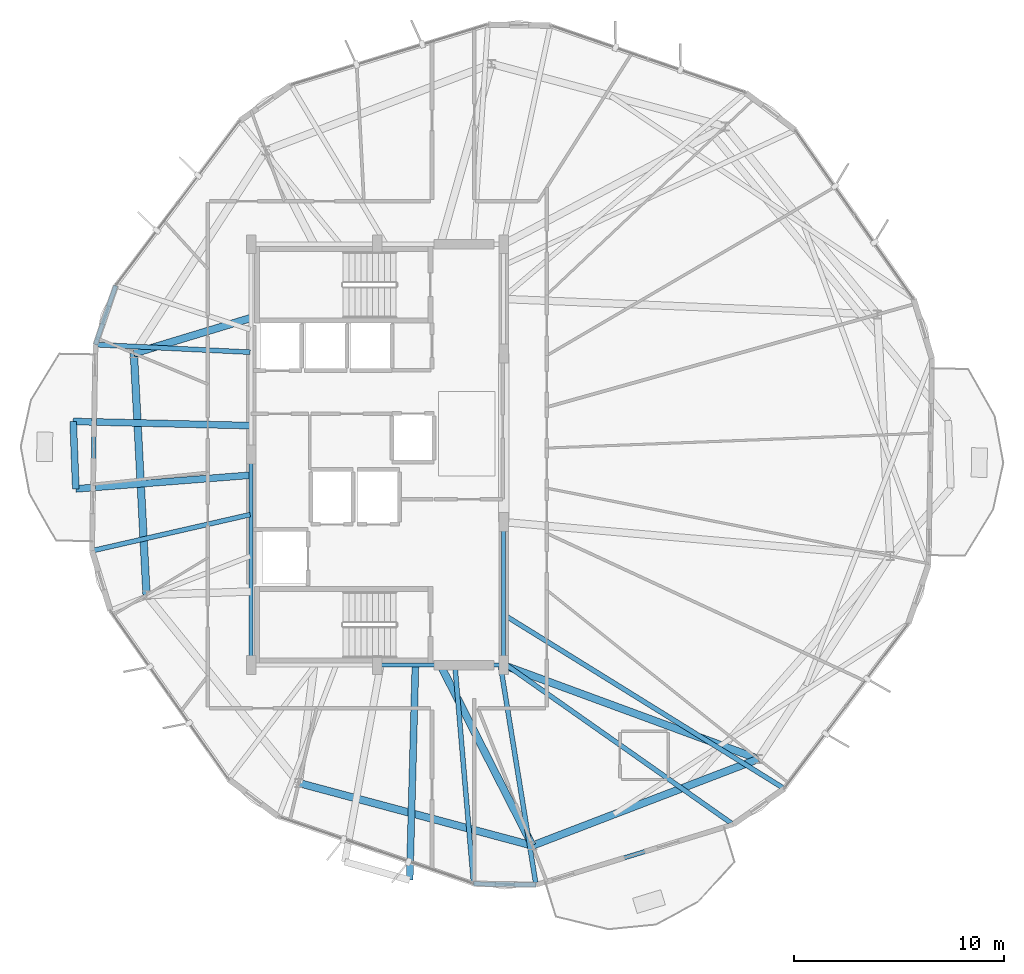
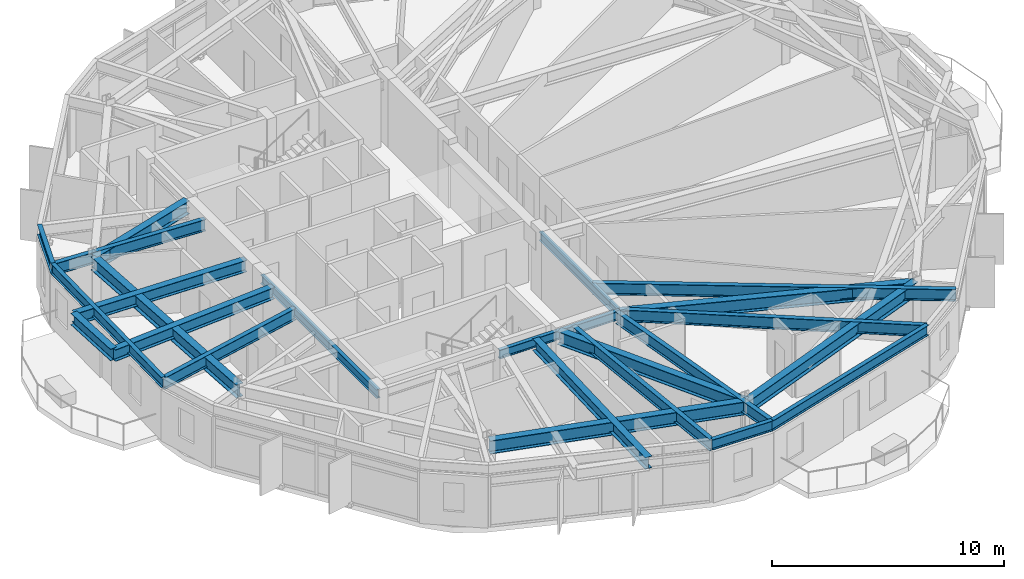
# One storey, part 5 of 29: 23 beams.
"""IFC4 building model written with IfcOpenShell, lengths in metres."""

import ifcopenshell
import ifcopenshell.guid

model = None  # the IFC model being written
_history = None  # IfcOwnerHistory: only IFC2X3 demands one
_inside = {}  # id of a spatial element -> (the spatial element, [elements in it])
_under = {}  # id of a project, library or spatial element -> (it, [spatial elements below it])
_declared = {}  # id of a project -> (the project, [libraries it declares])
_typed = {}  # id of a type object -> (the type object, [elements of that type])
_made_of = {}  # id of a material, layer set ... -> (it, [elements and type objects made of it])


def new_model(schema):
    """Start an empty IFC model of exactly this schema.

    Asked for "IFC4X3", IfcOpenShell would pick the latest addendum, in which some entities
    have other attributes; the version numbers below select the first issue.
    IFC2X3 requires an IfcOwnerHistory on every rooted entity: one is made here for all.
    """
    global model, _history
    if schema == "IFC4X3":
        model = ifcopenshell.file(schema_version=(4, 3, 0, 0))
    else:
        model = ifcopenshell.file(schema=schema)
    _inside.clear()
    _under.clear()
    _declared.clear()
    _typed.clear()
    _made_of.clear()
    _history = None
    if model.schema == "IFC2X3":
        org = make("IfcOrganization", Name="unknown")
        user = make(
            "IfcPersonAndOrganization",
            ThePerson=make("IfcPerson", FamilyName="unknown"),
            TheOrganization=org,
        )
        app = make(
            "IfcApplication",
            ApplicationDeveloper=org,
            Version="unknown",
            ApplicationFullName="unknown",
            ApplicationIdentifier="unknown",
        )
        _history = make(
            "IfcOwnerHistory",
            OwningUser=user,
            OwningApplication=app,
            ChangeAction="ADDED",
            CreationDate=0,
        )
    return model


def make(cls, **values):
    """One entity of the class cls with the attributes given. An attribute that is None is left unset."""
    return model.create_entity(
        cls, **{name: value for name, value in values.items() if value is not None}
    )


def rooted(cls, **values):
    """An entity with a GlobalId (a new one), such as an element, a storey or a relation."""
    return make(cls, GlobalId=ifcopenshell.guid.new(), OwnerHistory=_history, **values)


def si_unit(unit_type, name, prefix=None):
    """IfcSIUnit, for example si_unit("LENGTHUNIT", "METRE", prefix="MILLI")."""
    return make("IfcSIUnit", UnitType=unit_type, Prefix=prefix, Name=name)


def assignment(units):
    """IfcUnitAssignment: the units of a project."""
    return None if units is None else make("IfcUnitAssignment", Units=units)


def point(xyz):
    """IfcCartesianPoint."""
    return None if xyz is None else make("IfcCartesianPoint", Coordinates=xyz)


def direction(xyz):
    """IfcDirection."""
    return None if xyz is None else make("IfcDirection", DirectionRatios=xyz)


def frame(location, z_axis=None, x_axis=None):
    """IfcAxis2Placement3D, a coordinate frame: its origin and axes. An axis left out is left unset."""
    return make(
        "IfcAxis2Placement3D",
        Location=point(location),
        Axis=direction(z_axis),
        RefDirection=direction(x_axis),
    )


def frame_2d(location, x_axis=None):
    """IfcAxis2Placement2D, a coordinate frame in the plane: its origin and x axis."""
    return make(
        "IfcAxis2Placement2D", Location=point(location), RefDirection=direction(x_axis)
    )


def origin():
    """The frame at (0, 0, 0) with its axes left unset."""
    return frame((0.0, 0.0, 0.0))


def origin_2d():
    """The frame at (0, 0) in the plane with its x axis left unset."""
    return frame_2d((0.0, 0.0))


def place(relative_to, where):
    """IfcLocalPlacement: puts the frame where relative to a parent placement (None: the world)."""
    return make(
        "IfcLocalPlacement", PlacementRelTo=relative_to, RelativePlacement=where
    )


def context(
    kind, dimensions, precision=None, world=None, true_north=None, identifier=None
):
    """IfcGeometricRepresentationContext, for example the 3D "Model" context."""
    return make(
        "IfcGeometricRepresentationContext",
        ContextIdentifier=identifier,
        ContextType=kind,
        CoordinateSpaceDimension=dimensions,
        Precision=precision,
        WorldCoordinateSystem=world,
        TrueNorth=true_north,
    )


def subcontext(parent, identifier, kind, view, scale=None):
    """IfcGeometricRepresentationSubContext, for example "Body" below "Model"."""
    return make(
        "IfcGeometricRepresentationSubContext",
        ContextIdentifier=identifier,
        ContextType=kind,
        ParentContext=parent,
        TargetScale=scale,
        TargetView=view,
    )


def project(units=None, contexts=None):
    """IfcProject with its units and contexts."""
    return rooted(
        "IfcProject",
        Name="project",
        RepresentationContexts=contexts,
        UnitsInContext=assignment(units),
    )


def spatial(cls, under=None, at=None, **own):
    """A site, building, storey or space (cls), placed at a placement, below another one or the project."""
    s = rooted(cls, ObjectPlacement=at, **own)
    if under is not None:
        _under.setdefault(under.id(), (under, []))[1].append(s)
    return s


def profile(cls, at=None, kind="AREA", **sizes):
    """A parametric profile (cls). Its sizes go by their IFC names, for example OverallWidth=200.0."""
    return make(cls, ProfileType=kind, Position=at, **sizes)


def i_section(**sizes):
    """IfcIShapeProfileDef."""
    return profile("IfcIShapeProfileDef", **sizes)


def extrude(swept, where, along, depth):
    """IfcExtrudedAreaSolid: the profile swept, set in the frame where, extruded along a direction by depth."""
    return make(
        "IfcExtrudedAreaSolid",
        SweptArea=swept,
        Position=where,
        ExtrudedDirection=direction(along),
        Depth=depth,
    )


def shape(context_of_items, identifier, shape_type, items):
    """IfcShapeRepresentation: the items that make up one representation, for example the "Body"."""
    return make(
        "IfcShapeRepresentation",
        ContextOfItems=context_of_items,
        RepresentationIdentifier=identifier,
        RepresentationType=shape_type,
        Items=items,
    )


def material(Name=None, Category=None):
    """IfcMaterial."""
    return make("IfcMaterial", Name=Name, Category=Category)


def material_profile(
    of_material, cross_section, Name=None, Category=None, Priority=None
):
    """IfcMaterialProfile: a cross section and its material."""
    return make(
        "IfcMaterialProfile",
        Name=Name,
        Material=of_material,
        Profile=cross_section,
        Priority=Priority,
        Category=Category,
    )


def profile_set(profiles, Name=None, composite=None):
    """IfcMaterialProfileSet."""
    return make(
        "IfcMaterialProfileSet",
        Name=Name,
        MaterialProfiles=profiles,
        CompositeProfile=composite,
    )


def made_of(thing, what):
    """Note that an element or type object is made of a material, layer set ...; save() writes the relation."""
    if what is not None:
        _made_of.setdefault(what.id(), (what, []))[1].append(thing)
    return thing


def type_object(cls, material=None, **own):
    """A type object (cls), such as IfcWallType, which elements share."""
    return made_of(rooted(cls, **own), material)


def element(
    cls,
    number,
    at=None,
    inside=None,
    cuts=None,
    type_object=None,
    material=None,
    context=None,
    identifier="Body",
    shape_type=None,
    held_by="IfcProductDefinitionShape",
    body=None,
    shapes=None,
    **own,
):
    """One element of the class cls, such as IfcWall. Its Tag is "e" and its number.

    at: its placement. inside: the storey or other place that contains it. cuts: it is an
    opening in that element (IfcRelVoidsElement). A single representation is given by context,
    identifier, shape_type and body (its items); several are given by shapes. held_by: the class
    of the entity that holds the representations. save() writes the other relations.
    """
    e = rooted(cls, Tag="e%d" % number, ObjectPlacement=at, **own)
    if body is not None:
        shapes = [shape(context, identifier, shape_type, body)]
    if shapes is not None:
        e.Representation = make(held_by, Representations=shapes)
    if inside is not None:
        _inside.setdefault(inside.id(), (inside, []))[1].append(e)
    if cuts is not None:
        rooted(
            "IfcRelVoidsElement", RelatingBuildingElement=cuts, RelatedOpeningElement=e
        )
    if type_object is not None:
        _typed.setdefault(type_object.id(), (type_object, []))[1].append(e)
    return made_of(e, material)


def aggregate(whole, parts):
    """IfcRelAggregates: a whole, such as a stair, and the parts it consists of."""
    return rooted("IfcRelAggregates", RelatingObject=whole, RelatedObjects=parts)


def save(model, path):
    """Write the relations noted so far, then the file.

    IfcRelAggregates (storeys below a building ...), IfcRelContainedInSpatialStructure (elements
    in a storey), IfcRelDefinesByType, IfcRelAssociatesMaterial and IfcRelDeclares: one each for
    every whole, place, type object, material and project.
    """
    for whole, parts in _under.values():
        aggregate(whole, parts)
    for where, things in _inside.values():
        rooted(
            "IfcRelContainedInSpatialStructure",
            RelatedElements=things,
            RelatingStructure=where,
        )
    for kind, things in _typed.values():
        rooted("IfcRelDefinesByType", RelatedObjects=things, RelatingType=kind)
    for what, things in _made_of.values():
        rooted("IfcRelAssociatesMaterial", RelatedObjects=things, RelatingMaterial=what)
    for by, libraries in _declared.values():
        rooted("IfcRelDeclares", RelatingContext=by, RelatedDefinitions=libraries)
    model.write(path)


model = new_model("IFC4")

# Units and contexts
model_context = context("Model", 3, precision=1e-05, world=origin(), true_north=direction((0.0, 1.0)))
body_context = subcontext(model_context, "Body", "Model", "MODEL_VIEW")
ifc_project = project(units=[si_unit("LENGTHUNIT", "METRE"), si_unit("AREAUNIT", "SQUARE_METRE"), si_unit("VOLUMEUNIT", "CUBIC_METRE"), si_unit("PLANEANGLEUNIT", "RADIAN"), si_unit("MASSUNIT", "GRAM", prefix="KILO")], contexts=[model_context])

# Site, building, storey
site_placement = place(None, origin())
site = spatial("IfcSite", under=ifc_project, at=site_placement, CompositionType="ELEMENT")
building_placement = place(site_placement, origin())
building = spatial("IfcBuilding", under=site, at=building_placement, Name="Soratama Intermodal Tower", CompositionType="ELEMENT")
storey_placement = place(building_placement, frame((0.0, 0.0, 226.60009765625)))
storey = spatial("IfcBuildingStorey", under=building, at=storey_placement, Name="L57", CompositionType="ELEMENT", Elevation=226.60009765625)

# Beams
ifc_material_1 = material(Name="Structural steel ASTM A992 Grade 50", Category="steel")
ifc_material_profile_1 = material_profile(ifc_material_1, i_section(OverallWidth=0.324951171875, OverallDepth=0.615966796875, WebThickness=0.013916015625, FlangeThickness=0.021484375, FilletRadius=0.013916015625, at=origin_2d()), Name="W24X117")
ifc_profile_set_1 = profile_set([ifc_material_profile_1], Name="Structural steel ASTM A992 Grade 50")
beam_type_1 = type_object("IfcBeamType", Name="BM-CANT-W24X117", PredefinedType="BEAM", material=ifc_profile_set_1)
beam_1_placement = place(storey_placement, frame((24.14990234375, 26.580078125, 2.991943359375), z_axis=(0.03899470896, -0.999239417093, 0.0), x_axis=(0.999239417093, 0.03899470896, 0.0)))
element("IfcBeam", 1, at=beam_1_placement, inside=storey, type_object=beam_type_1, Name="BM-L57-CBHDR-2", PredefinedType="BEAM", context=body_context, shape_type="SweptSolid", body=[
    extrude(i_section(OverallWidth=0.324951171875, OverallDepth=0.615966796875, WebThickness=0.013916015625, FlangeThickness=0.021484375, FilletRadius=0.013916015625, at=origin_2d()), origin(), (0.0, 0.0, 1.0), 3.20556640625),
])
beam_2_placement = place(storey_placement, frame((32.56005859375, 26.384033203125, 2.991943359375), z_axis=(-0.999728421038, 0.02330416634, 0.0), x_axis=(-0.02330416634, -0.999728421038, 0.0)))
element("IfcBeam", 2, at=beam_2_placement, inside=storey, type_object=beam_type_1, Name="BM-L57-CANT-2-1", PredefinedType="BEAM", context=body_context, shape_type="SweptSolid", body=[
    extrude(i_section(OverallWidth=0.324951171875, OverallDepth=0.615966796875, WebThickness=0.013916015625, FlangeThickness=0.021484375, FilletRadius=0.013916015625, at=origin_2d()), origin(), (0.0, 0.0, 1.0), 8.412353515625),
])
beam_3_placement = place(storey_placement, frame((32.56005859375, 24.02587890625, 2.991943359375), z_axis=(-0.996946723934, -0.078084759318, 0.0), x_axis=(0.078084759318, -0.996946723934, 0.0)))
element("IfcBeam", 3, at=beam_3_placement, inside=storey, type_object=beam_type_1, Name="BM-L57-CANT-2-2", PredefinedType="BEAM", context=body_context, shape_type="SweptSolid", body=[
    extrude(i_section(OverallWidth=0.324951171875, OverallDepth=0.615966796875, WebThickness=0.013916015625, FlangeThickness=0.021484375, FilletRadius=0.013916015625, at=origin_2d()), origin(), (0.0, 0.0, 1.0), 8.310546875),
])
beam_4_placement = place(storey_placement, frame((40.409912109375, 14.9599609375, 2.991943359375), z_axis=(-0.026629700417, -0.999645366645, 0.0), x_axis=(0.999645366645, -0.026629700417, 0.0)))
element("IfcBeam", 4, at=beam_4_placement, inside=storey, type_object=beam_type_1, Name="BM-L57-CANT-3-2", PredefinedType="BEAM", context=body_context, shape_type="SweptSolid", body=[
    extrude(i_section(OverallWidth=0.324951171875, OverallDepth=0.615966796875, WebThickness=0.013916015625, FlangeThickness=0.021484375, FilletRadius=0.013916015625, at=origin_2d()), origin(), (0.0, 0.0, 1.0), 10.176513671875),
])
ifc_material_2 = material(Name="Structural steel ASTM A992 Grade 50", Category="steel")
ifc_material_profile_2 = material_profile(ifc_material_2, i_section(OverallWidth=0.19091796875, OverallDepth=0.4599609375, WebThickness=0.010009765625, FlangeThickness=0.01611328125, FilletRadius=0.010986328125, at=origin_2d()), Name="W18X55")
ifc_profile_set_2 = profile_set([ifc_material_profile_2], Name="Structural steel ASTM A992 Grade 50")
beam_type_2 = type_object("IfcBeamType", Name="BM-FLR-W18X55", PredefinedType="BEAM", material=ifc_profile_set_2)
beam_5_placement = place(storey_placement, frame((38.60009765625, 15.0, 3.06982421875), z_axis=(1.0, 0.0, 0.0), x_axis=(0.0, 1.0, 0.0)))
element("IfcBeam", 5, at=beam_5_placement, inside=storey, type_object=beam_type_2, Name="BM-L57-CRING-02", PredefinedType="BEAM", context=body_context, shape_type="SweptSolid", body=[
    extrude(i_section(OverallWidth=0.19091796875, OverallDepth=0.4599609375, WebThickness=0.010009765625, FlangeThickness=0.01611328125, FilletRadius=0.010986328125, at=origin_2d()), origin(), (0.0, 0.0, 1.0), 6.0),
])
beam_6_placement = place(storey_placement, frame((44.60009765625, 15.0, 3.06982421875), z_axis=(0.0, 1.0, 0.0), x_axis=(-1.0, 0.0, 0.0)))
element("IfcBeam", 6, at=beam_6_placement, inside=storey, type_object=beam_type_2, Name="BM-L57-CRING-03", PredefinedType="BEAM", context=body_context, shape_type="SweptSolid", body=[
    extrude(i_section(OverallWidth=0.19091796875, OverallDepth=0.4599609375, WebThickness=0.010009765625, FlangeThickness=0.01611328125, FilletRadius=0.010986328125, at=origin_2d()), origin(), (0.0, 0.0, 1.0), 6.800048828125),
])
beam_7_placement = place(storey_placement, frame((32.60009765625, 25.0, 3.06982421875), z_axis=(0.0, -1.0, 0.0), x_axis=(1.0, 0.0, 0.0)))
element("IfcBeam", 7, at=beam_7_placement, inside=storey, type_object=beam_type_2, Name="BM-L57-CRING-09", PredefinedType="BEAM", context=body_context, shape_type="SweptSolid", body=[
    extrude(i_section(OverallWidth=0.19091796875, OverallDepth=0.4599609375, WebThickness=0.010009765625, FlangeThickness=0.01611328125, FilletRadius=0.010986328125, at=origin_2d()), origin(), (0.0, 0.0, 1.0), 10.0),
])
ifc_material_3 = material(Name="Structural steel ASTM A992 Grade 50", Category="steel")
ifc_material_profile_3 = material_profile(ifc_material_3, i_section(OverallWidth=0.35498046875, OverallDepth=0.695068359375, WebThickness=0.015380859375, FlangeThickness=0.02490234375, FilletRadius=0.01611328125, at=origin_2d()), Name="W27X146")
ifc_profile_set_3 = profile_set([ifc_material_profile_3], Name="Structural steel ASTM A992 Grade 50")
beam_type_3 = type_object("IfcBeamType", Name="BM-RING-W27X146", PredefinedType="BEAM", material=ifc_profile_set_3)
beam_8_placement = place(storey_placement, frame((27.033935546875, 29.81396484375, 2.952392578125), z_axis=(0.052286849724, -0.998632107108, 0.0), x_axis=(0.998632107108, 0.052286849724, 0.0)))
element("IfcBeam", 8, at=beam_8_placement, inside=storey, type_object=beam_type_3, Name="BM-L57-RING-05", PredefinedType="BEAM", context=body_context, shape_type="SweptSolid", body=[
    extrude(i_section(OverallWidth=0.35498046875, OverallDepth=0.695068359375, WebThickness=0.015380859375, FlangeThickness=0.02490234375, FilletRadius=0.01611328125, at=origin_2d()), origin(), (0.0, 0.0, 1.0), 11.49560546875),
])
beam_9_placement = place(storey_placement, frame((34.8701171875, 9.40087890625, 2.952392578125), z_axis=(0.965928616227, -0.258808632687, 0.0), x_axis=(0.258808632687, 0.965928616227, 0.0)))
element("IfcBeam", 9, at=beam_9_placement, inside=storey, type_object=beam_type_3, Name="BM-L57-RING-07", PredefinedType="BEAM", context=body_context, shape_type="SweptSolid", body=[
    extrude(i_section(OverallWidth=0.35498046875, OverallDepth=0.695068359375, WebThickness=0.015380859375, FlangeThickness=0.02490234375, FilletRadius=0.01611328125, at=origin_2d()), origin(), (0.0, 0.0, 1.0), 11.494384765625),
])
beam_10_placement = place(storey_placement, frame((45.972900390625, 6.426025390625, 2.952392578125), z_axis=(0.933603724339, 0.358307250695, 0.0), x_axis=(-0.358307250695, 0.933603724339, 0.0)))
element("IfcBeam", 10, at=beam_10_placement, inside=storey, type_object=beam_type_3, Name="BM-L57-RING-08", PredefinedType="BEAM", context=body_context, shape_type="SweptSolid", body=[
    extrude(i_section(OverallWidth=0.35498046875, OverallDepth=0.695068359375, WebThickness=0.015380859375, FlangeThickness=0.02490234375, FilletRadius=0.01611328125, at=origin_2d()), origin(), (0.0, 0.0, 1.0), 11.495361328125),
])
beam_11_placement = place(storey_placement, frame((32.60009765625, 31.5, 2.952392578125), z_axis=(-0.957056879321, -0.289900206526, 0.0), x_axis=(0.289900206526, -0.957056879321, 0.0)))
element("IfcBeam", 11, at=beam_11_placement, inside=storey, type_object=beam_type_3, Name="BM-L57-RAD-05", PredefinedType="BEAM", context=body_context, shape_type="SweptSolid", body=[
    extrude(i_section(OverallWidth=0.35498046875, OverallDepth=0.695068359375, WebThickness=0.015380859375, FlangeThickness=0.02490234375, FilletRadius=0.01611328125, at=origin_2d()), origin(), (0.0, 0.0, 1.0), 5.81591796875),
])
beam_12_placement = place(storey_placement, frame((41.60009765625, 15.0, 2.952392578125), z_axis=(0.454332323157, -0.890832273851, 0.0), x_axis=(0.890832273851, 0.454332323157, 0.0)))
element("IfcBeam", 12, at=beam_12_placement, inside=storey, type_object=beam_type_3, Name="BM-L57-RAD-08", PredefinedType="BEAM", context=body_context, shape_type="SweptSolid", body=[
    extrude(i_section(OverallWidth=0.35498046875, OverallDepth=0.695068359375, WebThickness=0.015380859375, FlangeThickness=0.02490234375, FilletRadius=0.01611328125, at=origin_2d()), origin(), (0.0, 0.0, 1.0), 9.624755859375),
])
beam_13_placement = place(storey_placement, frame((44.60009765625, 15.0, 2.952392578125), z_axis=(0.938460043872, -0.345387819785, 0.0), x_axis=(0.345387819785, 0.938460043872, 0.0)))
element("IfcBeam", 13, at=beam_13_placement, inside=storey, type_object=beam_type_3, Name="BM-L57-RAD-09", PredefinedType="BEAM", context=body_context, shape_type="SweptSolid", body=[
    extrude(i_section(OverallWidth=0.35498046875, OverallDepth=0.695068359375, WebThickness=0.015380859375, FlangeThickness=0.02490234375, FilletRadius=0.01611328125, at=origin_2d()), origin(), (0.0, 0.0, 1.0), 12.898681640625),
])
ifc_material_4 = material(Name="Structural steel ASTM A992 Grade 50", Category="steel")
ifc_material_profile_4 = material_profile(ifc_material_4, i_section(OverallWidth=0.2099609375, OverallDepth=0.537109375, WebThickness=0.010986328125, FlangeThickness=0.017333984375, FilletRadius=0.012939453125, at=origin_2d()), Name="W21X68")
ifc_profile_set_4 = profile_set([ifc_material_profile_4], Name="Structural steel ASTM A992 Grade 50")
beam_type_4 = type_object("IfcBeamType", Name="BM-SPN-W21X68", PredefinedType="SPANDREL", material=ifc_profile_set_4)
beam_14_placement = place(storey_placement, frame((26.172119140625, 33.037109375, 3.031494140625), z_axis=(-0.324927993455, -0.945738758363, 0.0), x_axis=(0.945738758363, -0.324927993455, 0.0)))
element("IfcBeam", 14, at=beam_14_placement, inside=storey, type_object=beam_type_4, Name="BS-L57-CRN03", PredefinedType="SPANDREL", context=body_context, shape_type="SweptSolid", body=[
    extrude(i_section(OverallWidth=0.2099609375, OverallDepth=0.537109375, WebThickness=0.010986328125, FlangeThickness=0.017333984375, FilletRadius=0.012939453125, at=origin_2d()), origin(), (0.0, 0.0, 1.0), 2.967041015625),
])
beam_15_placement = place(storey_placement, frame((25.2080078125, 30.23095703125, 3.031494140625), z_axis=(-0.01674573254, -0.99985978039, 0.0), x_axis=(0.99985978039, -0.01674573254, 0.0)))
element("IfcBeam", 15, at=beam_15_placement, inside=storey, type_object=beam_type_4, Name="BS-L57-F04", PredefinedType="SPANDREL", context=body_context, shape_type="SweptSolid", body=[
    extrude(i_section(OverallWidth=0.2099609375, OverallDepth=0.537109375, WebThickness=0.010986328125, FlangeThickness=0.017333984375, FilletRadius=0.012939453125, at=origin_2d()), origin(), (0.0, 0.0, 1.0), 9.79736328125),
])
beam_16_placement = place(storey_placement, frame((43.175048828125, 4.610107421875, 3.031494140625), z_axis=(0.999857667547, -0.016871415083, 0.0), x_axis=(0.016871415083, 0.999857667547, 0.0)))
element("IfcBeam", 16, at=beam_16_placement, inside=storey, type_object=beam_type_4, Name="BS-L57-CRN06", PredefinedType="SPANDREL", context=body_context, shape_type="SweptSolid", body=[
    extrude(i_section(OverallWidth=0.2099609375, OverallDepth=0.537109375, WebThickness=0.010986328125, FlangeThickness=0.017333984375, FilletRadius=0.012939453125, at=origin_2d()), origin(), (0.0, 0.0, 1.0), 2.966552734375),
])
beam_17_placement = place(storey_placement, frame((46.14111328125, 4.56005859375, 3.031494140625), z_axis=(0.956102253446, 0.293033242064, 0.0), x_axis=(-0.293033242064, 0.956102253446, 0.0)))
element("IfcBeam", 17, at=beam_17_placement, inside=storey, type_object=beam_type_4, Name="BS-L57-F07", PredefinedType="SPANDREL", context=body_context, shape_type="SweptSolid", body=[
    extrude(i_section(OverallWidth=0.2099609375, OverallDepth=0.537109375, WebThickness=0.010986328125, FlangeThickness=0.017333984375, FilletRadius=0.012939453125, at=origin_2d()), origin(), (0.0, 0.0, 1.0), 9.797119140625),
])
ifc_material_5 = material(Name="Structural steel ASTM A992 Grade 50", Category="steel")
ifc_material_profile_5 = material_profile(ifc_material_5, i_section(OverallWidth=0.22900390625, OverallDepth=0.612060546875, WebThickness=0.011962890625, FlangeThickness=0.01953125, FilletRadius=0.012939453125, at=origin_2d()), Name="W24X84")
ifc_profile_set_5 = profile_set([ifc_material_profile_5], Name="Structural steel ASTM A992 Grade 50")
beam_type_5 = type_object("IfcBeamType", Name="BM-TIE-W24X84", PredefinedType="BEAM", material=ifc_profile_set_5)
beam_18_placement = place(storey_placement, frame((32.56005859375, 29.87109375, 2.993896484375), z_axis=(-0.998804227506, 0.048888803591, 0.0), x_axis=(-0.048888803591, -0.998804227506, 0.0)))
element("IfcBeam", 18, at=beam_18_placement, inside=storey, type_object=beam_type_5, Name="BM-L57-TIE0-04", PredefinedType="BEAM", context=body_context, shape_type="SweptSolid", body=[
    extrude(i_section(OverallWidth=0.22900390625, OverallDepth=0.612060546875, WebThickness=0.011962890625, FlangeThickness=0.01953125, FilletRadius=0.012939453125, at=origin_2d()), origin(), (0.0, 0.0, 1.0), 7.36083984375),
])
beam_19_placement = place(storey_placement, frame((32.56103515625, 22.155029296875, 2.993896484375), z_axis=(-0.974808376262, -0.223044008144, 0.0), x_axis=(0.223044008144, -0.974808376262, 0.0)))
element("IfcBeam", 19, at=beam_19_placement, inside=storey, type_object=beam_type_5, Name="BM-L57-TIE1-04", PredefinedType="BEAM", context=body_context, shape_type="SweptSolid", body=[
    extrude(i_section(OverallWidth=0.22900390625, OverallDepth=0.612060546875, WebThickness=0.011962890625, FlangeThickness=0.01953125, FilletRadius=0.012939453125, at=origin_2d()), origin(), (0.0, 0.0, 1.0), 7.71142578125),
])
beam_20_placement = place(storey_placement, frame((42.2900390625, 14.9599609375, 2.993896484375), z_axis=(0.085198487837, -0.996363998582, 0.0), x_axis=(0.996363998582, 0.085198487837, 0.0)))
element("IfcBeam", 20, at=beam_20_placement, inside=storey, type_object=beam_type_5, Name="BM-L57-TIE1-06", PredefinedType="BEAM", context=body_context, shape_type="SweptSolid", body=[
    extrude(i_section(OverallWidth=0.22900390625, OverallDepth=0.612060546875, WebThickness=0.011962890625, FlangeThickness=0.01953125, FilletRadius=0.012939453125, at=origin_2d()), origin(), (0.0, 0.0, 1.0), 10.3876953125),
])
beam_21_placement = place(storey_placement, frame((44.45703125, 14.9609375, 2.993896484375), z_axis=(0.159835614864, -0.987143645181, 0.0), x_axis=(0.987143645181, 0.159835614864, 0.0)))
element("IfcBeam", 21, at=beam_21_placement, inside=storey, type_object=beam_type_5, Name="BM-L57-TIE0-07", PredefinedType="BEAM", context=body_context, shape_type="SweptSolid", body=[
    extrude(i_section(OverallWidth=0.22900390625, OverallDepth=0.612060546875, WebThickness=0.011962890625, FlangeThickness=0.01953125, FilletRadius=0.012939453125, at=origin_2d()), origin(), (0.0, 0.0, 1.0), 10.536376953125),
])
beam_22_placement = place(storey_placement, frame((44.633056640625, 15.0791015625, 2.993896484375), z_axis=(0.817968673331, -0.575262765568, 0.0), x_axis=(0.575262765568, 0.817968673331, 0.0)))
element("IfcBeam", 22, at=beam_22_placement, inside=storey, type_object=beam_type_5, Name="BM-L57-TIE1-07", PredefinedType="BEAM", context=body_context, shape_type="SweptSolid", body=[
    extrude(i_section(OverallWidth=0.22900390625, OverallDepth=0.612060546875, WebThickness=0.011962890625, FlangeThickness=0.01953125, FilletRadius=0.012939453125, at=origin_2d()), origin(), (0.0, 0.0, 1.0), 13.295166015625),
])
beam_23_placement = place(storey_placement, frame((44.634033203125, 17.384033203125, 2.993896484375), z_axis=(0.849841079258, -0.527039030819, 0.0), x_axis=(0.527039030819, 0.849841079258, 0.0)))
element("IfcBeam", 23, at=beam_23_placement, inside=storey, type_object=beam_type_5, Name="BM-L57-TIE0-08", PredefinedType="BEAM", context=body_context, shape_type="SweptSolid", body=[
    extrude(i_section(OverallWidth=0.22900390625, OverallDepth=0.612060546875, WebThickness=0.011962890625, FlangeThickness=0.01953125, FilletRadius=0.012939453125, at=origin_2d()), origin(), (0.0, 0.0, 1.0), 15.653564453125),
])

save(model, "model.ifc")
